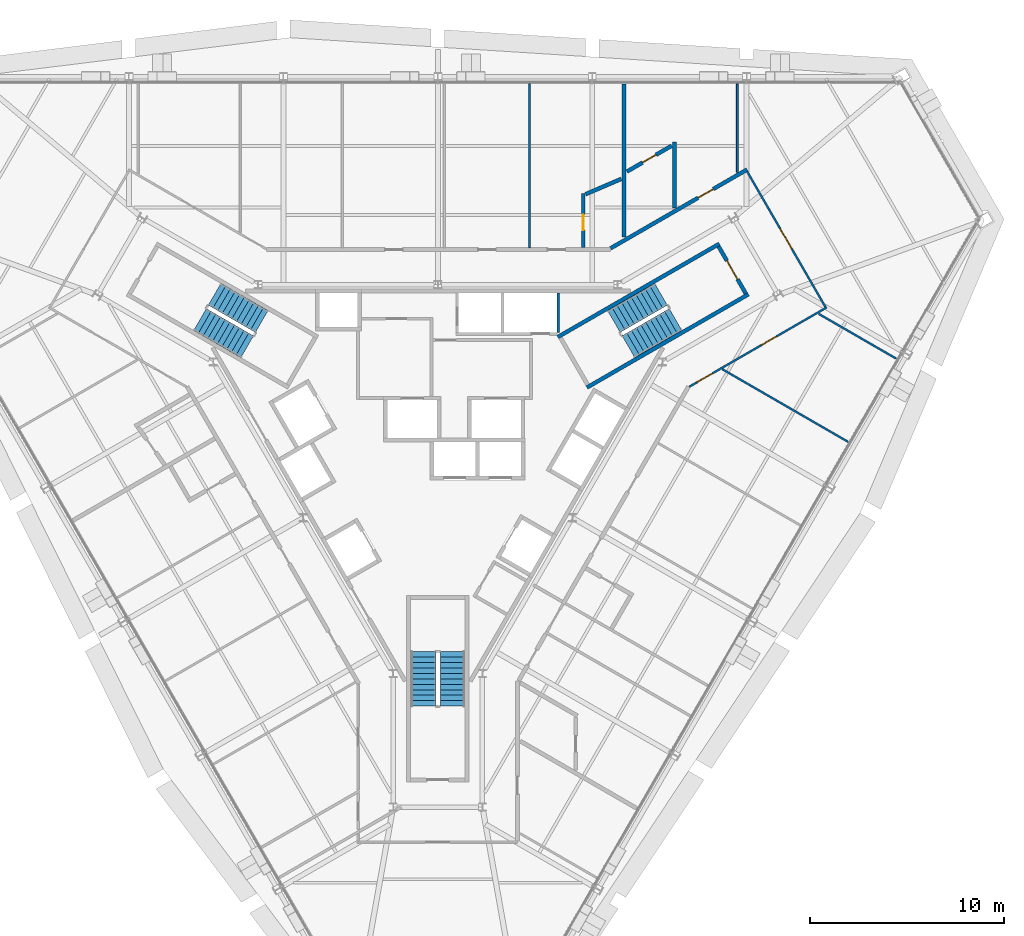
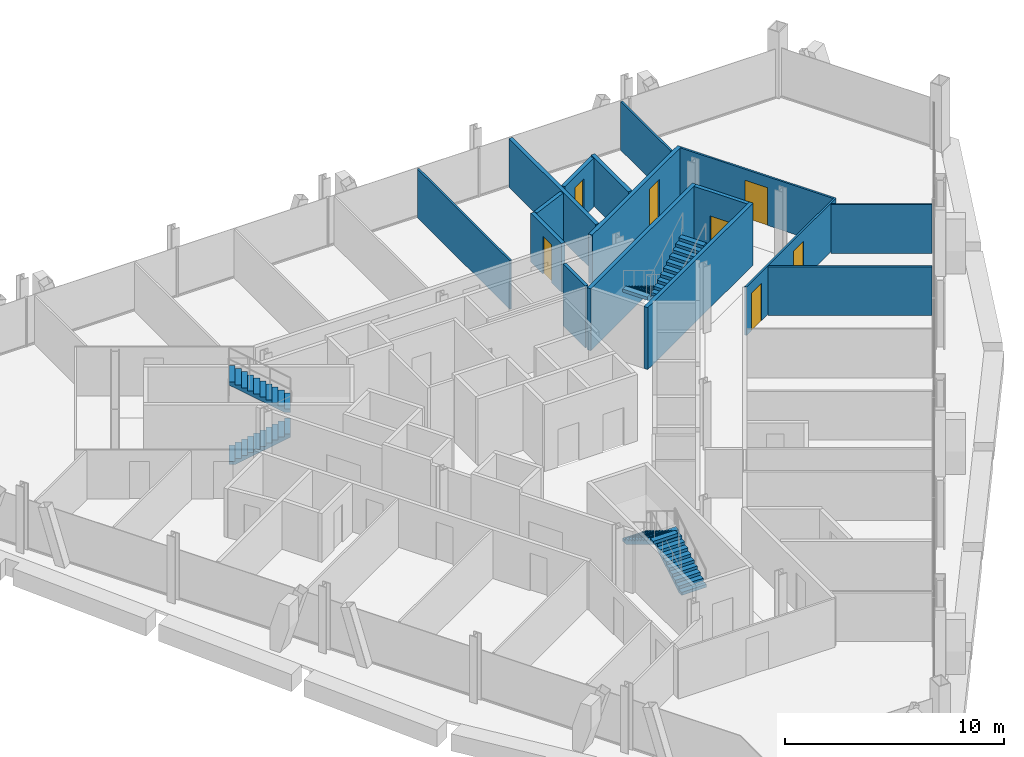
# One storey, part 12 of 14: 16 walls, 7 doors, 6 stair flights, 7 openings, 3 elements without a shape of their own.
"""IFC4 building model written with IfcOpenShell, lengths in metres."""

from ifc_helpers import new_model, si_unit, direction, frame, frame_2d, origin, place, context, subcontext, project, spatial, polyline, rectangle, outline, extrude, material, layer, layer_set, type_object, element, fill, aggregate, save


model = new_model("IFC4")

# Units and contexts
model_context = context("Model", 3, precision=1e-05, world=origin(), true_north=direction((0.0, 1.0)))
body_context = subcontext(model_context, "Body", "Model", "MODEL_VIEW")
ifc_project = project(units=[si_unit("LENGTHUNIT", "METRE"), si_unit("AREAUNIT", "SQUARE_METRE"), si_unit("VOLUMEUNIT", "CUBIC_METRE"), si_unit("PLANEANGLEUNIT", "RADIAN"), si_unit("MASSUNIT", "GRAM", prefix="KILO")], contexts=[model_context])

# Site, building, storey
site_placement = place(None, origin())
site = spatial("IfcSite", under=ifc_project, at=site_placement, CompositionType="ELEMENT")
building_placement = place(site_placement, origin())
building = spatial("IfcBuilding", under=site, at=building_placement, Name="Verrane Prism Tower", CompositionType="ELEMENT")
storey_placement = place(building_placement, frame((0.0, 0.0, 193.199951171875)))
storey = spatial("IfcBuildingStorey", under=building, at=storey_placement, Name="L48", CompositionType="ELEMENT", Elevation=193.199951171875)

# Wall, opening, door
ifc_material_1 = material(Name="Concrete C40/50", Category="concrete")
ifc_layer_1 = layer(ifc_material_1, 0.199951171875)
ifc_layer_set_1 = layer_set([ifc_layer_1], Name="CW-200 stair core wall concrete C40/50 3 h")
wall_type_1 = type_object("IfcWallType", Name="CW-200 stair core wall concrete C40/50 3 h", PredefinedType="PARTITIONING", material=ifc_layer_set_1)
wall_1_placement = place(storey_placement, frame((15.85546875, 7.53759765625, 0.0), z_axis=(0.0, 0.0, 1.0), x_axis=(-0.500049511043, 0.865996816683, 0.0)))
wall_1 = element("IfcWall", 1, at=wall_1_placement, inside=storey, type_object=wall_type_1, Name="Stair 1 enclosure wall", PredefinedType="PARTITIONING", context=body_context, shape_type="SweptSolid", body=[
    extrude(rectangle(XDim=2.800048828125, YDim=0.199951171875, at=frame_2d((1.39990234375, 0.0))), origin(), (0.0, 0.0, 1.0), 3.449951171875),
])
opening_1_placement = place(wall_1_placement, frame((0.849853515625, 0.0, 0.0)))
opening_1 = element("IfcOpeningElement", 2, at=opening_1_placement, cuts=wall_1, Name="Opening D47500", PredefinedType="OPENING", context=body_context, shape_type="SweptSolid", body=[
    extrude(rectangle(XDim=1.10009765625, YDim=2.10009765625, at=frame_2d((0.550048828125, 1.050048828125))), frame((0.0, 0.10986328125, 0.0), z_axis=(0.0, -1.0, 0.0), x_axis=(1.0, 0.0, 0.0)), (0.0, 0.0, 1.0), 0.219970703125),
])
ifc_material_2 = material(Name="Timber veneered door leaf", Category="wood")
door_type_1 = type_object("IfcDoorType", Name="DR-1100x2100 FD90 single leaf stair", OperationType="NOTDEFINED", PredefinedType="DOOR", material=ifc_material_2)
door_1_placement = place(opening_1_placement, origin())
door_1 = element("IfcDoor", 3, at=door_1_placement, inside=storey, type_object=door_type_1, Name="Stair 1 door", OperationType="SINGLE_SWING_LEFT", OverallHeight=2.10009765625, OverallWidth=1.10009765625, PredefinedType="DOOR", context=body_context, shape_type="SweptSolid", body=[
    extrude(rectangle(XDim=1.10009765625, YDim=2.10009765625, at=frame_2d((0.550048828125, 1.050048828125))), frame((0.0, 0.02490234375, 0.0), z_axis=(0.0, -1.0, 0.0), x_axis=(1.0, 0.0, 0.0)), (0.0, 0.0, 1.0), 0.050048828125),
])
fill(opening_1, door_1)

# Walls
for number, where, z_axis, x_axis, name in (
    (4, (6.17822265625, 5.299072265625, 0.0), (0.0, 0.0, 1.0), (0.866019993635, 0.500009370536, 0.0), "Stair 1 enclosure wall"),
    (5, (7.67822265625, 2.700927734375, 0.0), (0.0, 0.0, 1.0), (0.866019993635, 0.500009370536, 0.0), "Stair 1 enclosure wall"),
):
    element("IfcWall", number, at=place(storey_placement, frame(where, z_axis=z_axis, x_axis=x_axis)), inside=storey, type_object=wall_type_1, Name=name, PredefinedType="PARTITIONING", context=body_context, shape_type="SweptSolid", body=[
        extrude(rectangle(XDim=9.599853515625, YDim=0.199951171875, at=frame_2d((4.7998046875, 0.0))), origin(), (0.0, 0.0, 1.0), 3.449951171875),
    ])
ifc_material_3 = material(Name="Gypsum board partition", Category="other")
ifc_layer_2 = layer(ifc_material_3, 0.10009765625)
ifc_layer_set_2 = layer_set([ifc_layer_2], Name="PW-100 room partition")
wall_type_2 = type_object("IfcWallType", Name="PW-100 room partition", PredefinedType="PARTITIONING", material=ifc_layer_set_2)
wall_2_placement = place(storey_placement, frame((4.719970703125, 9.89990234375, 0.0), z_axis=(0.0, 0.0, 1.0), x_axis=(0.0, 1.0, 0.0)))
element("IfcWall", 6, at=wall_2_placement, inside=storey, type_object=wall_type_2, Name="Room partition 032", PredefinedType="PARTITIONING", context=body_context, shape_type="SweptSolid", body=[
    extrude(rectangle(XDim=8.43505859375, YDim=0.10009765625, at=frame_2d((4.217529296875, 0.0))), origin(), (0.0, 0.0, 1.0), 2.713134765625),
])

# Wall, openings, doors
wall_3_placement = place(storey_placement, frame((20.023193359375, 6.825927734375, 0.0), z_axis=(0.0, 0.0, 1.0), x_axis=(-0.86608949446, -0.499888975259, 0.0)))
wall_3 = element("IfcWall", 7, at=wall_3_placement, inside=storey, type_object=wall_type_2, Name="Room partition 049", PredefinedType="PARTITIONING", context=body_context, shape_type="SweptSolid", body=[
    extrude(rectangle(XDim=8.164794921875, YDim=0.10009765625, at=frame_2d((4.08251953125, 0.0))), origin(), (0.0, 0.0, 1.0), 2.713134765625),
])
opening_2_placement = place(wall_3_placement, frame((6.800048828125, 0.0, 0.0)))
opening_2 = element("IfcOpeningElement", 8, at=opening_2_placement, cuts=wall_3, Name="Opening D47007", PredefinedType="OPENING", context=body_context, shape_type="SweptSolid", body=[
    extrude(rectangle(XDim=0.89990234375, YDim=2.10009765625, at=frame_2d((0.449951171875, 1.050048828125))), frame((0.0, 0.06005859375, 0.0), z_axis=(0.0, -1.0, 0.0), x_axis=(1.0, 0.0, 0.0)), (0.0, 0.0, 1.0), 0.1201171875),
])
opening_3_placement = place(wall_3_placement, frame((2.989013671875, 0.0, 0.0)))
opening_3 = element("IfcOpeningElement", 9, at=opening_3_placement, cuts=wall_3, Name="Opening D47008", PredefinedType="OPENING", context=body_context, shape_type="SweptSolid", body=[
    extrude(rectangle(XDim=0.89990234375, YDim=2.10009765625, at=frame_2d((0.449951171875, 1.050048828125))), frame((0.0, 0.06005859375, 0.0), z_axis=(0.0, -1.0, 0.0), x_axis=(1.0, 0.0, 0.0)), (0.0, 0.0, 1.0), 0.1201171875),
])
ifc_material_4 = material(Name="Timber veneered door leaf", Category="wood")
door_type_2 = type_object("IfcDoorType", Name="DR-900x2100 single leaf unit", OperationType="NOTDEFINED", PredefinedType="DOOR", material=ifc_material_4)
door_2_placement = place(opening_2_placement, origin())
door_2 = element("IfcDoor", 10, at=door_2_placement, inside=storey, type_object=door_type_2, Name="Study door", OperationType="SINGLE_SWING_RIGHT", OverallHeight=2.10009765625, OverallWidth=0.89990234375, PredefinedType="DOOR", context=body_context, shape_type="SweptSolid", body=[
    extrude(rectangle(XDim=0.89990234375, YDim=2.10009765625, at=frame_2d((0.449951171875, 1.050048828125))), frame((0.0, 0.02490234375, 0.0), z_axis=(0.0, -1.0, 0.0), x_axis=(1.0, 0.0, 0.0)), (0.0, 0.0, 1.0), 0.050048828125),
])
fill(opening_2, door_2)
door_3_placement = place(opening_3_placement, origin())
door_3 = element("IfcDoor", 11, at=door_3_placement, inside=storey, type_object=door_type_2, Name="Study door", OperationType="SINGLE_SWING_LEFT", OverallHeight=2.10009765625, OverallWidth=0.89990234375, PredefinedType="DOOR", context=body_context, shape_type="SweptSolid", body=[
    extrude(rectangle(XDim=0.89990234375, YDim=2.10009765625, at=frame_2d((0.449951171875, 1.050048828125))), frame((0.0, 0.02490234375, 0.0), z_axis=(0.0, -1.0, 0.0), x_axis=(1.0, 0.0, 0.0)), (0.0, 0.0, 1.0), 0.050048828125),
])
fill(opening_3, door_3)

# Walls
wall_4_placement = place(storey_placement, frame((14.651123046875, 3.6396484375, 0.0), z_axis=(0.0, 0.0, 1.0), x_axis=(0.866021145342, -0.500007375767, 0.0)))
element("IfcWall", 12, at=wall_4_placement, inside=storey, type_object=wall_type_2, Name="Room partition 050", PredefinedType="PARTITIONING", context=body_context, shape_type="SweptSolid", body=[
    extrude(rectangle(XDim=7.466796875, YDim=0.10009765625, at=frame_2d((3.7333984375, 0.0))), origin(), (0.0, 0.0, 1.0), 2.713134765625),
])
wall_5_placement = place(storey_placement, frame((15.426025390625, 13.78125, 0.0), z_axis=(0.0, 0.0, 1.0), x_axis=(0.0, 1.0, 0.0)))
element("IfcWall", 13, at=wall_5_placement, inside=storey, type_object=wall_type_2, Name="Room partition 051", PredefinedType="PARTITIONING", context=body_context, shape_type="SweptSolid", body=[
    extrude(rectangle(XDim=4.5537109375, YDim=0.10009765625, at=frame_2d((2.27685546875, 0.0))), origin(), (0.0, 0.0, 1.0), 2.713134765625),
])

# Wall, opening, door
wall_6_placement = place(storey_placement, frame((15.927978515625, 13.8115234375, 0.0), z_axis=(0.0, 0.0, 1.0), x_axis=(0.500422653123, -0.865781247337, 0.0)))
wall_6 = element("IfcWall", 14, at=wall_6_placement, inside=storey, type_object=wall_type_2, Name="Room partition 052", PredefinedType="PARTITIONING", context=body_context, shape_type="SweptSolid", body=[
    extrude(rectangle(XDim=8.04736328125, YDim=0.10009765625, at=frame_2d((4.023681640625, 0.0))), origin(), (0.0, 0.0, 1.0), 2.713134765625),
])
opening_4_placement = place(wall_6_placement, frame((3.39990234375, 0.0, 0.0)))
opening_4 = element("IfcOpeningElement", 15, at=opening_4_placement, cuts=wall_6, Name="Opening D47009", PredefinedType="OPENING", context=body_context, shape_type="SweptSolid", body=[
    extrude(rectangle(XDim=1.199951171875, YDim=2.10009765625, at=frame_2d((0.60009765625, 1.050048828125))), frame((0.0, 0.06005859375, 0.0), z_axis=(0.0, -1.0, 0.0), x_axis=(1.0, 0.0, 0.0)), (0.0, 0.0, 1.0), 0.1201171875),
])
ifc_material_5 = material(Name="Timber veneered door leaf", Category="wood")
door_type_3 = type_object("IfcDoorType", Name="DR-1200x2100 single leaf unit", OperationType="NOTDEFINED", PredefinedType="DOOR", material=ifc_material_5)
door_4_placement = place(opening_4_placement, origin())
door_4 = element("IfcDoor", 16, at=door_4_placement, inside=storey, type_object=door_type_3, Name="Living And Dining Room door", OperationType="SINGLE_SWING_LEFT", OverallHeight=2.10009765625, OverallWidth=1.199951171875, PredefinedType="DOOR", context=body_context, shape_type="SweptSolid", body=[
    extrude(rectangle(XDim=1.199951171875, YDim=2.10009765625, at=frame_2d((0.60009765625, 1.050048828125))), frame((0.0, 0.02490234375, 0.0), z_axis=(0.0, -1.0, 0.0), x_axis=(1.0, 0.0, 0.0)), (0.0, 0.0, 1.0), 0.050048828125),
])
fill(opening_4, door_4)

# Wall
wall_7_placement = place(storey_placement, frame((19.60107421875, 6.49560546875, 0.0), z_axis=(0.0, 0.0, 1.0), x_axis=(0.866056775574, -0.499945658529, 0.0)))
element("IfcWall", 17, at=wall_7_placement, inside=storey, type_object=wall_type_2, Name="Room partition 053", PredefinedType="PARTITIONING", context=body_context, shape_type="SweptSolid", body=[
    extrude(rectangle(XDim=4.60791015625, YDim=0.10009765625, at=frame_2d((2.303955078125, 0.0))), origin(), (0.0, 0.0, 1.0), 2.713134765625),
])

# Wall, opening, door
ifc_material_6 = material(Name="Gypsum board partition", Category="other")
ifc_layer_3 = layer(ifc_material_6, 0.199951171875)
ifc_layer_set_3 = layer_set([ifc_layer_3], Name="PW-200 plumbing wall")
wall_type_3 = type_object("IfcWallType", Name="PW-200 plumbing wall", PredefinedType="PARTITIONING", material=ifc_layer_set_3)
wall_8_placement = place(storey_placement, frame((7.487060546875, 12.699951171875, 0.0), z_axis=(0.0, 0.0, 1.0), x_axis=(0.0, -1.0, 0.0)))
wall_8 = element("IfcWall", 18, at=wall_8_placement, inside=storey, type_object=wall_type_3, Name="Plumbing wall 039", PredefinedType="PARTITIONING", context=body_context, shape_type="SweptSolid", body=[
    extrude(rectangle(XDim=2.800048828125, YDim=0.199951171875, at=frame_2d((1.39990234375, 0.0))), origin(), (0.0, 0.0, 1.0), 2.713134765625),
])
opening_5_placement = place(wall_8_placement, frame((1.10009765625, 0.0, 0.0)))
opening_5 = element("IfcOpeningElement", 19, at=opening_5_placement, cuts=wall_8, Name="Opening D47013", PredefinedType="OPENING", context=body_context, shape_type="SweptSolid", body=[
    extrude(rectangle(XDim=0.800048828125, YDim=2.10009765625, at=frame_2d((0.39990234375, 1.050048828125))), frame((0.0, 0.10986328125, 0.0), z_axis=(0.0, -1.0, 0.0), x_axis=(1.0, 0.0, 0.0)), (0.0, 0.0, 1.0), 0.219970703125),
])
ifc_material_7 = material(Name="Timber veneered door leaf", Category="wood")
door_type_4 = type_object("IfcDoorType", Name="DR-800x2100 single leaf bath", OperationType="NOTDEFINED", PredefinedType="DOOR", material=ifc_material_7)
door_5_placement = place(opening_5_placement, origin())
door_5 = element("IfcDoor", 20, at=door_5_placement, inside=storey, type_object=door_type_4, Name="Bathroom door", OperationType="SINGLE_SWING_RIGHT", OverallHeight=2.10009765625, OverallWidth=0.800048828125, PredefinedType="DOOR", context=body_context, shape_type="SweptSolid", body=[
    extrude(rectangle(XDim=0.800048828125, YDim=2.10009765625, at=frame_2d((0.39990234375, 1.050048828125))), frame((0.0, 0.02490234375, 0.0), z_axis=(0.0, -1.0, 0.0), x_axis=(1.0, 0.0, 0.0)), (0.0, 0.0, 1.0), 0.050048828125),
])
fill(opening_5, door_5)

# Wall
wall_9_placement = place(storey_placement, frame((7.6064453125, 12.651123046875, 0.0), z_axis=(0.0, 0.0, 1.0), x_axis=(0.919138725477, 0.39393400885, 0.0)))
element("IfcWall", 21, at=wall_9_placement, inside=storey, type_object=wall_type_3, Name="Plumbing wall 040", PredefinedType="PARTITIONING", context=body_context, shape_type="SweptSolid", body=[
    extrude(rectangle(XDim=2.0029296875, YDim=0.199951171875, at=frame_2d((1.00146484375, 0.0))), origin(), (0.0, 0.0, 1.0), 2.713134765625),
])

# Wall, opening, door
wall_10_placement = place(storey_placement, frame((8.89501953125, 9.867431640625, 0.0), z_axis=(0.0, 0.0, 1.0), x_axis=(0.866079355551, 0.499906541154, 0.0)))
wall_10 = element("IfcWall", 22, at=wall_10_placement, inside=storey, type_object=wall_type_3, Name="Plumbing wall 043", PredefinedType="PARTITIONING", context=body_context, shape_type="SweptSolid", body=[
    extrude(rectangle(XDim=8.11279296875, YDim=0.199951171875, at=frame_2d((4.056396484375, 0.0))), origin(), (0.0, 0.0, 1.0), 2.713134765625),
])
opening_6_placement = place(wall_10_placement, frame((5.200927734375, 0.0, 0.0)))
opening_6 = element("IfcOpeningElement", 23, at=opening_6_placement, cuts=wall_10, Name="Opening D47010", PredefinedType="OPENING", context=body_context, shape_type="SweptSolid", body=[
    extrude(rectangle(XDim=0.89990234375, YDim=2.10009765625, at=frame_2d((0.449951171875, 1.050048828125))), frame((0.0, 0.10986328125, 0.0), z_axis=(0.0, -1.0, 0.0), x_axis=(1.0, 0.0, 0.0)), (0.0, 0.0, 1.0), 0.219970703125),
])
ifc_material_8 = material(Name="Timber veneered door leaf", Category="wood")
door_type_5 = type_object("IfcDoorType", Name="DR-900x2100 single leaf inner", OperationType="NOTDEFINED", PredefinedType="DOOR", material=ifc_material_8)
door_6_placement = place(opening_6_placement, origin())
door_6 = element("IfcDoor", 24, at=door_6_placement, inside=storey, type_object=door_type_5, Name="Master Bedroom door", OperationType="SINGLE_SWING_RIGHT", OverallHeight=2.10009765625, OverallWidth=0.89990234375, PredefinedType="DOOR", context=body_context, shape_type="SweptSolid", body=[
    extrude(rectangle(XDim=0.89990234375, YDim=2.10009765625, at=frame_2d((0.449951171875, 1.050048828125))), frame((0.0, 0.02490234375, 0.0), z_axis=(0.0, -1.0, 0.0), x_axis=(1.0, 0.0, 0.0)), (0.0, 0.0, 1.0), 0.050048828125),
])
fill(opening_6, door_6)

# Wall
wall_11_placement = place(storey_placement, frame((9.5869140625, 10.440185546875, 0.0), z_axis=(0.0, 0.0, 1.0), x_axis=(0.0, 1.0, 0.0)))
element("IfcWall", 25, at=wall_11_placement, inside=storey, type_object=wall_type_3, Name="Plumbing wall 045", PredefinedType="PARTITIONING", context=body_context, shape_type="SweptSolid", body=[
    extrude(rectangle(XDim=7.894775390625, YDim=0.199951171875, at=frame_2d((3.947265625, 0.0))), origin(), (0.0, 0.0, 1.0), 2.713134765625),
])

# Wall, opening, door
wall_12_placement = place(storey_placement, frame((12.039794921875, 15.14599609375, 0.0), z_axis=(0.0, 0.0, 1.0), x_axis=(-0.866206990114, -0.499685351273, 0.0)))
wall_12 = element("IfcWall", 26, at=wall_12_placement, inside=storey, type_object=wall_type_3, Name="Plumbing wall 046", PredefinedType="PARTITIONING", context=body_context, shape_type="SweptSolid", body=[
    extrude(rectangle(XDim=2.658447265625, YDim=0.199951171875, at=frame_2d((1.3291015625, 0.0))), origin(), (0.0, 0.0, 1.0), 2.713134765625),
])
opening_7_placement = place(wall_12_placement, frame((0.931640625, 0.0, 0.0)))
opening_7 = element("IfcOpeningElement", 27, at=opening_7_placement, cuts=wall_12, Name="Opening D47011", PredefinedType="OPENING", context=body_context, shape_type="SweptSolid", body=[
    extrude(rectangle(XDim=0.800048828125, YDim=2.10009765625, at=frame_2d((0.39990234375, 1.050048828125))), frame((0.0, 0.10986328125, 0.0), z_axis=(0.0, -1.0, 0.0), x_axis=(1.0, 0.0, 0.0)), (0.0, 0.0, 1.0), 0.219970703125),
])
door_7_placement = place(opening_7_placement, origin())
door_7 = element("IfcDoor", 28, at=door_7_placement, inside=storey, type_object=door_type_4, Name="Master Bathroom door", OperationType="SINGLE_SWING_RIGHT", OverallHeight=2.10009765625, OverallWidth=0.800048828125, PredefinedType="DOOR", context=body_context, shape_type="SweptSolid", body=[
    extrude(rectangle(XDim=0.800048828125, YDim=2.10009765625, at=frame_2d((0.39990234375, 1.050048828125))), frame((0.0, 0.02490234375, 0.0), z_axis=(0.0, -1.0, 0.0), x_axis=(1.0, 0.0, 0.0)), (0.0, 0.0, 1.0), 0.050048828125),
])
fill(opening_7, door_7)

# Walls
wall_13_placement = place(storey_placement, frame((12.18701171875, 11.940185546875, 0.0), z_axis=(0.0, 0.0, 1.0), x_axis=(0.0, 1.0, 0.0)))
element("IfcWall", 29, at=wall_13_placement, inside=storey, type_object=wall_type_3, Name="Plumbing wall 048", PredefinedType="PARTITIONING", context=body_context, shape_type="SweptSolid", body=[
    extrude(rectangle(XDim=3.390869140625, YDim=0.199951171875, at=frame_2d((1.6953125, 0.0))), origin(), (0.0, 0.0, 1.0), 2.713134765625),
])
ifc_material_9 = material(Name="Gypsum board partition", Category="other")
ifc_layer_4 = layer(ifc_material_9, 0.14990234375)
ifc_layer_set_4 = layer_set([ifc_layer_4], Name="RS-150 riser enclosure wall 1 h")
wall_type_4 = type_object("IfcWallType", Name="RS-150 riser enclosure wall 1 h", PredefinedType="PARTITIONING", material=ifc_layer_set_4)
wall_14_placement = place(storey_placement, frame((6.199951171875, 5.534912109375, 0.0), z_axis=(0.0, 0.0, 1.0), x_axis=(0.0, 1.0, 0.0)))
element("IfcWall", 30, at=wall_14_placement, inside=storey, type_object=wall_type_4, Name="Riser wall RS3-007", PredefinedType="PARTITIONING", context=body_context, shape_type="SweptSolid", body=[
    extrude(rectangle(XDim=2.025146484375, YDim=0.14990234375, at=frame_2d((1.0126953125, 0.0))), origin(), (0.0, 0.0, 1.0), 3.449951171875),
])

# Stair, stair flights
ifc_material_10 = material(Name="Concrete C40/50", Category="concrete")
stair_type = type_object("IfcStairType", Name="Exit stair 1300 dog-leg precast concrete C40/50", PredefinedType="HALF_TURN_STAIR", material=ifc_material_10)
stair_1_placement = place(storey_placement, origin())
stair_1 = element("IfcStair", 31, at=stair_1_placement, inside=storey, type_object=stair_type, Name="Stair 1 L48", PredefinedType="HALF_TURN_STAIR")
ifc_material_11 = material(Name="Concrete C40/50", Category="concrete")
stair_flight_type = type_object("IfcStairFlightType", Name="Stair flight 1300 precast concrete C40/50", PredefinedType="STRAIGHT", material=ifc_material_11)
stair_flight_1_placement = place(storey_placement, frame((11.489501953125, 7.49951171875, 0.0), z_axis=(0.0, 0.0, 1.0), x_axis=(-0.866025403784, -0.5, 0.0)))
stair_flight_1 = element("IfcStairFlight", 32, at=stair_flight_1_placement, type_object=stair_flight_type, Name="Stair 1 flight 1", NumberOfRisers=11, NumberOfTreads=10, PredefinedType="STRAIGHT", RiserHeight=0.168181818, TreadLength=0.28, context=body_context, shape_type="SweptSolid", body=[
    extrude(outline(polyline([(0.0, 0.0), (0.0, 0.168212890625), (0.280029296875, 0.168212890625), (0.280029296875, 0.33642578125), (0.56005859375, 0.33642578125), (0.56005859375, 0.504638671875), (0.840087890625, 0.504638671875), (0.840087890625, 0.672607421875), (1.1201171875, 0.672607421875), (1.1201171875, 0.8408203125), (1.39990234375, 0.8408203125), (1.39990234375, 1.009033203125), (1.679931640625, 1.009033203125), (1.679931640625, 1.17724609375), (1.9599609375, 1.17724609375), (1.9599609375, 1.345458984375), (2.239990234375, 1.345458984375), (2.239990234375, 1.513671875), (2.52001953125, 1.513671875), (2.52001953125, 1.681884765625), (2.800048828125, 1.681884765625), (2.800048828125, 1.85009765625), (2.800048828125, 1.5068359375), (0.291015625, 0.0), (0.0, 0.0)])), frame((0.0, 0.64990234375, 0.0), z_axis=(0.0, -1.0, 0.0), x_axis=(1.0, 0.0, 0.0)), (0.0, 0.0, 1.0), 1.300048828125),
])
stair_flight_2_placement = place(storey_placement, frame((9.814697265625, 4.800537109375, 1.85009765625), z_axis=(0.0, 0.0, 1.0), x_axis=(0.866025403784, 0.5, 0.0)))
stair_flight_2 = element("IfcStairFlight", 33, at=stair_flight_2_placement, type_object=stair_flight_type, Name="Stair 1 flight 2", NumberOfRisers=11, NumberOfTreads=10, PredefinedType="STRAIGHT", RiserHeight=0.168181818, TreadLength=0.28, context=body_context, shape_type="SweptSolid", body=[
    extrude(outline(polyline([(0.0, 0.0), (0.0, 0.168212890625), (0.280029296875, 0.168212890625), (0.280029296875, 0.33642578125), (0.56005859375, 0.33642578125), (0.56005859375, 0.504638671875), (0.840087890625, 0.504638671875), (0.840087890625, 0.672607421875), (1.1201171875, 0.672607421875), (1.1201171875, 0.8408203125), (1.39990234375, 0.8408203125), (1.39990234375, 1.009033203125), (1.679931640625, 1.009033203125), (1.679931640625, 1.17724609375), (1.9599609375, 1.17724609375), (1.9599609375, 1.345458984375), (2.239990234375, 1.345458984375), (2.239990234375, 1.513671875), (2.52001953125, 1.513671875), (2.52001953125, 1.681884765625), (2.800048828125, 1.681884765625), (2.800048828125, 1.85009765625), (2.800048828125, 1.5068359375), (0.291015625, 0.0), (0.0, 0.0)])), frame((0.0, 0.64990234375, 0.0), z_axis=(0.0, -1.0, 0.0), x_axis=(1.0, 0.0, 0.0)), (0.0, 0.0, 1.0), 1.300048828125),
])
aggregate(stair_1, [stair_flight_1, stair_flight_2])

stair_2_placement = place(storey_placement, origin())
stair_2 = element("IfcStair", 34, at=stair_2_placement, inside=storey, type_object=stair_type, Name="Stair 2 L48", PredefinedType="HALF_TURN_STAIR")
stair_flight_3_placement = place(storey_placement, frame((-12.239501953125, 6.200439453125, 0.0), z_axis=(0.0, 0.0, 1.0), x_axis=(0.866025403784, -0.5, 0.0)))
stair_flight_3 = element("IfcStairFlight", 35, at=stair_flight_3_placement, type_object=stair_flight_type, Name="Stair 2 flight 1", NumberOfRisers=11, NumberOfTreads=10, PredefinedType="STRAIGHT", RiserHeight=0.168181818, TreadLength=0.28, context=body_context, shape_type="SweptSolid", body=[
    extrude(outline(polyline([(0.0, 0.0), (0.0, 0.168212890625), (0.280029296875, 0.168212890625), (0.280029296875, 0.33642578125), (0.56005859375, 0.33642578125), (0.56005859375, 0.504638671875), (0.840087890625, 0.504638671875), (0.840087890625, 0.672607421875), (1.1201171875, 0.672607421875), (1.1201171875, 0.8408203125), (1.39990234375, 0.8408203125), (1.39990234375, 1.009033203125), (1.679931640625, 1.009033203125), (1.679931640625, 1.17724609375), (1.9599609375, 1.17724609375), (1.9599609375, 1.345458984375), (2.239990234375, 1.345458984375), (2.239990234375, 1.513671875), (2.52001953125, 1.513671875), (2.52001953125, 1.681884765625), (2.800048828125, 1.681884765625), (2.800048828125, 1.85009765625), (2.800048828125, 1.5068359375), (0.291015625, 0.0), (0.0, 0.0)])), frame((0.0, 0.64990234375, 0.0), z_axis=(0.0, -1.0, 0.0), x_axis=(1.0, 0.0, 0.0)), (0.0, 0.0, 1.0), 1.300048828125),
])
stair_flight_4_placement = place(storey_placement, frame((-9.064697265625, 6.099609375, 1.85009765625), z_axis=(0.0, 0.0, 1.0), x_axis=(-0.866025403784, 0.5, 0.0)))
stair_flight_4 = element("IfcStairFlight", 36, at=stair_flight_4_placement, type_object=stair_flight_type, Name="Stair 2 flight 2", NumberOfRisers=11, NumberOfTreads=10, PredefinedType="STRAIGHT", RiserHeight=0.168181818, TreadLength=0.28, context=body_context, shape_type="SweptSolid", body=[
    extrude(outline(polyline([(0.0, 0.0), (0.0, 0.168212890625), (0.280029296875, 0.168212890625), (0.280029296875, 0.33642578125), (0.56005859375, 0.33642578125), (0.56005859375, 0.504638671875), (0.840087890625, 0.504638671875), (0.840087890625, 0.672607421875), (1.1201171875, 0.672607421875), (1.1201171875, 0.8408203125), (1.39990234375, 0.8408203125), (1.39990234375, 1.009033203125), (1.679931640625, 1.009033203125), (1.679931640625, 1.17724609375), (1.9599609375, 1.17724609375), (1.9599609375, 1.345458984375), (2.239990234375, 1.345458984375), (2.239990234375, 1.513671875), (2.52001953125, 1.513671875), (2.52001953125, 1.681884765625), (2.800048828125, 1.681884765625), (2.800048828125, 1.85009765625), (2.800048828125, 1.5068359375), (0.291015625, 0.0), (0.0, 0.0)])), frame((0.0, 0.64990234375, 0.0), z_axis=(0.0, -1.0, 0.0), x_axis=(1.0, 0.0, 0.0)), (0.0, 0.0, 1.0), 1.300048828125),
])
aggregate(stair_2, [stair_flight_3, stair_flight_4])

stair_3_placement = place(storey_placement, origin())
stair_3 = element("IfcStair", 37, at=stair_3_placement, inside=storey, type_object=stair_type, Name="Stair 3 L48", PredefinedType="HALF_TURN_STAIR")
stair_flight_5_placement = place(storey_placement, frame((0.75, -13.699951171875, 0.0), z_axis=(0.0, 0.0, 1.0), x_axis=(0.0, 1.0, 0.0)))
stair_flight_5 = element("IfcStairFlight", 38, at=stair_flight_5_placement, type_object=stair_flight_type, Name="Stair 3 flight 1", NumberOfRisers=11, NumberOfTreads=10, PredefinedType="STRAIGHT", RiserHeight=0.168181818, TreadLength=0.28, context=body_context, shape_type="SweptSolid", body=[
    extrude(outline(polyline([(0.0, 0.0), (0.0, 0.168212890625), (0.280029296875, 0.168212890625), (0.280029296875, 0.33642578125), (0.56005859375, 0.33642578125), (0.56005859375, 0.504638671875), (0.840087890625, 0.504638671875), (0.840087890625, 0.672607421875), (1.1201171875, 0.672607421875), (1.1201171875, 0.8408203125), (1.39990234375, 0.8408203125), (1.39990234375, 1.009033203125), (1.679931640625, 1.009033203125), (1.679931640625, 1.17724609375), (1.9599609375, 1.17724609375), (1.9599609375, 1.345458984375), (2.239990234375, 1.345458984375), (2.239990234375, 1.513671875), (2.52001953125, 1.513671875), (2.52001953125, 1.681884765625), (2.800048828125, 1.681884765625), (2.800048828125, 1.85009765625), (2.800048828125, 1.5068359375), (0.291015625, 0.0), (0.0, 0.0)])), frame((0.0, 0.64990234375, 0.0), z_axis=(0.0, -1.0, 0.0), x_axis=(1.0, 0.0, 0.0)), (0.0, 0.0, 1.0), 1.300048828125),
])
stair_flight_6_placement = place(storey_placement, frame((-0.75, -10.89990234375, 1.85009765625), z_axis=(0.0, 0.0, 1.0), x_axis=(0.0, -1.0, 0.0)))
stair_flight_6 = element("IfcStairFlight", 39, at=stair_flight_6_placement, type_object=stair_flight_type, Name="Stair 3 flight 2", NumberOfRisers=11, NumberOfTreads=10, PredefinedType="STRAIGHT", RiserHeight=0.168181818, TreadLength=0.28, context=body_context, shape_type="SweptSolid", body=[
    extrude(outline(polyline([(0.0, 0.0), (0.0, 0.168212890625), (0.280029296875, 0.168212890625), (0.280029296875, 0.33642578125), (0.56005859375, 0.33642578125), (0.56005859375, 0.504638671875), (0.840087890625, 0.504638671875), (0.840087890625, 0.672607421875), (1.1201171875, 0.672607421875), (1.1201171875, 0.8408203125), (1.39990234375, 0.8408203125), (1.39990234375, 1.009033203125), (1.679931640625, 1.009033203125), (1.679931640625, 1.17724609375), (1.9599609375, 1.17724609375), (1.9599609375, 1.345458984375), (2.239990234375, 1.345458984375), (2.239990234375, 1.513671875), (2.52001953125, 1.513671875), (2.52001953125, 1.681884765625), (2.800048828125, 1.681884765625), (2.800048828125, 1.85009765625), (2.800048828125, 1.5068359375), (0.291015625, 0.0), (0.0, 0.0)])), frame((0.0, 0.64990234375, 0.0), z_axis=(0.0, -1.0, 0.0), x_axis=(1.0, 0.0, 0.0)), (0.0, 0.0, 1.0), 1.300048828125),
])
aggregate(stair_3, [stair_flight_5, stair_flight_6])

save(model, "model.ifc")
